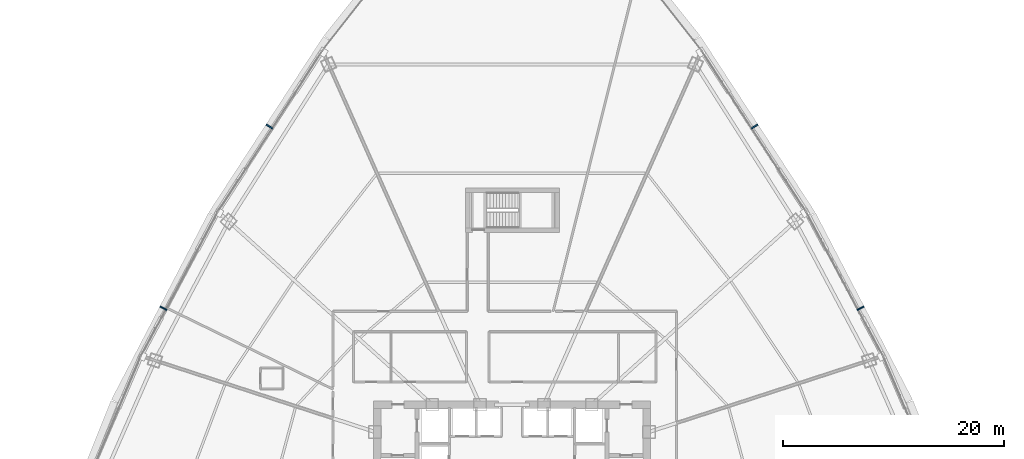
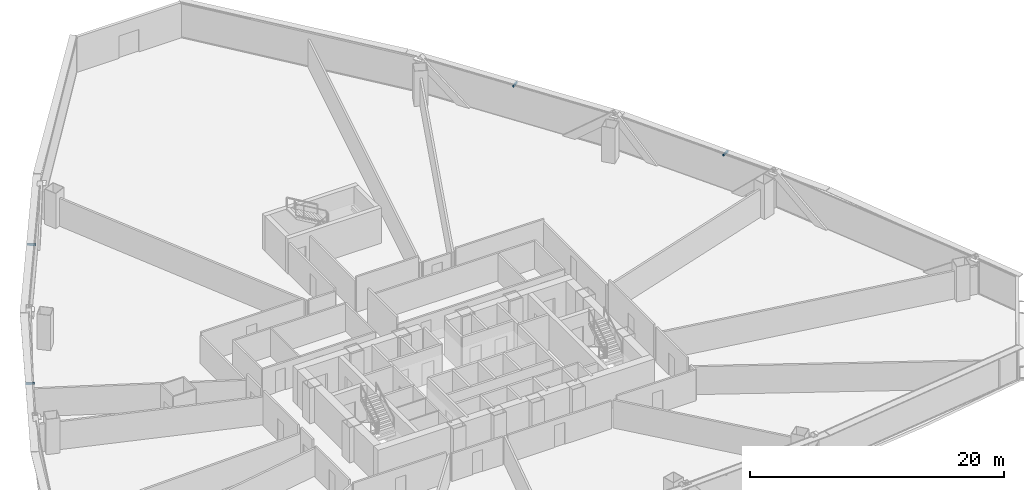
# One storey, part 33 of 37: 4 discrete accessories.
"""IFC4 building model written with IfcOpenShell, lengths in metres."""

from ifc_helpers import new_model, si_unit, direction, frame, origin, origin_2d, place, context, subcontext, project, spatial, rectangle, extrude, source, transform, mapped, material, type_object, element, save


model = new_model("IFC4")

# Units and contexts
model_context = context("Model", 3, precision=1e-05, world=origin(), true_north=direction((0.0, 1.0)))
body_context = subcontext(model_context, "Body", "Model", "MODEL_VIEW")
ifc_project = project(units=[si_unit("LENGTHUNIT", "METRE"), si_unit("AREAUNIT", "SQUARE_METRE"), si_unit("VOLUMEUNIT", "CUBIC_METRE"), si_unit("PLANEANGLEUNIT", "RADIAN"), si_unit("MASSUNIT", "GRAM", prefix="KILO"), si_unit("THERMODYNAMICTEMPERATUREUNIT", "KELVIN"), si_unit("POWERUNIT", "WATT")], contexts=[model_context])

# Site, building, storey
site_placement = place(None, origin())
site = spatial("IfcSite", under=ifc_project, at=site_placement, CompositionType="ELEMENT")
building_placement = place(site_placement, origin())
building = spatial("IfcBuilding", under=site, at=building_placement, Name="Yunzhuo Pagoda Commons", CompositionType="ELEMENT")
storey_placement = place(building_placement, frame((0.0, 0.0, 59.43994140625)))
storey = spatial("IfcBuildingStorey", under=building, at=storey_placement, Name="L15", CompositionType="ELEMENT", Elevation=59.43994140625)

# Discrete accessories
ifc_material = material(Name="Anodized aluminium 6063-T6", Category="aluminium")
discrete_accessory_type = type_object("IfcDiscreteAccessoryType", Name="BK-SUN1 Sunshade Outrigger Bracket", PredefinedType="BRACKET", material=ifc_material)
shared_shape = source(origin(), body_context, "Body", "SweptSolid", [
    extrude(rectangle(XDim=0.1201171875, YDim=0.679931640625, at=origin_2d()), origin(), (0.0, 0.0, 1.0), 0.179931640625),
])
for number, where, z_axis, x_axis, name in (
    (1, (79.564697265625, 48.936279296875, 3.16015625), (0.0, 0.0, 1.0), (-0.461206683033, 0.88729273384, 0.0), "L15 sunshade outrigger bracket F2.2"),
    (2, (69.9619140625, 65.38671875, 3.16015625), (0.0, 0.0, 1.0), (-0.545838756973, 0.837890238269, 0.0), "L15 sunshade outrigger bracket F2.3"),
    (3, (26.0380859375, 65.38671875, 3.16015625), (0.0, 0.0, 1.0), (-0.545838756973, -0.837890238269, 0.0), "L15 sunshade outrigger bracket F3.2"),
    (4, (16.435302734375, 48.936279296875, 3.16015625), (0.0, 0.0, 1.0), (-0.461206683033, -0.88729273384, 0.0), "L15 sunshade outrigger bracket F3.3"),
):
    element("IfcDiscreteAccessory", number, at=place(storey_placement, frame(where, z_axis=z_axis, x_axis=x_axis)), inside=storey, type_object=discrete_accessory_type, Name=name, PredefinedType="BRACKET", context=body_context, shape_type="MappedRepresentation", body=[
        mapped(shared_shape, transform((0.0, 0.0, 0.0), scale=1.0)),
    ])

save(model, "model.ifc")
